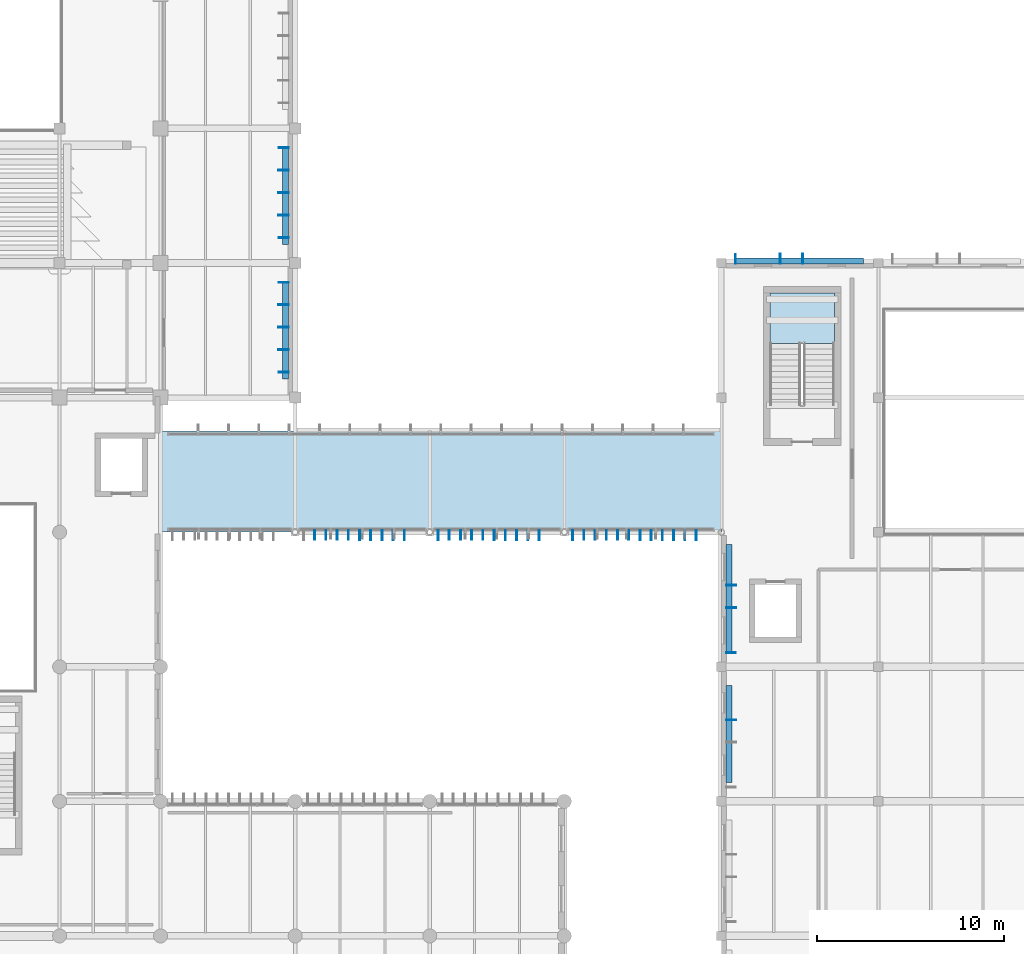
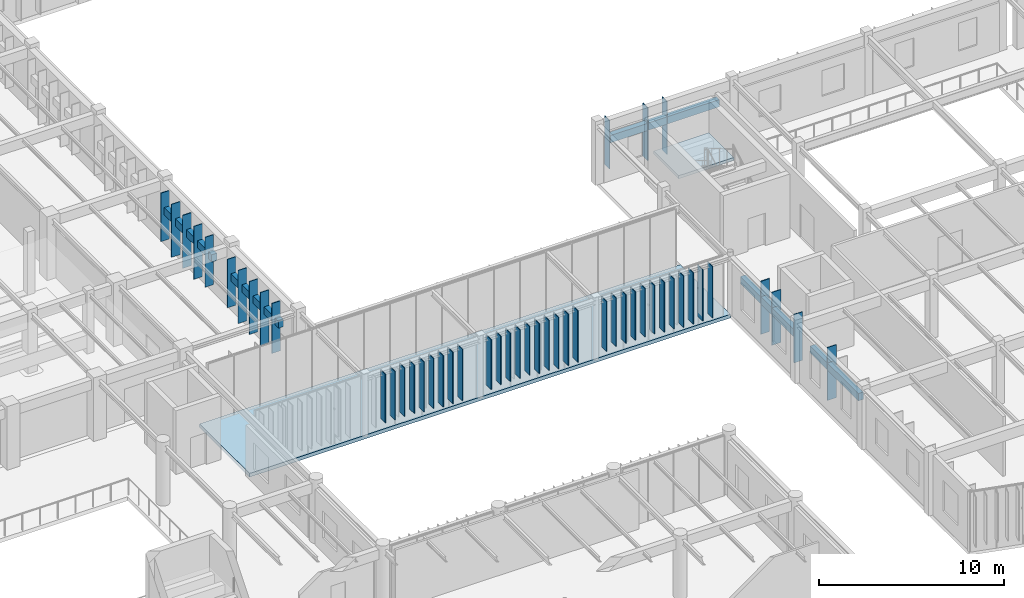
# One storey, part 23 of 122: 53 plates, 2 slabs, 1 element without a shape of its own.
"""IFC4 building model written with IfcOpenShell, lengths in metres."""

from ifc_helpers import new_model, si_unit, direction, frame, origin, origin_2d, place, context, subcontext, project, spatial, polyline, rectangle, outline, extrude, material, layer, layer_set, type_object, element, aggregate, save


model = new_model("IFC4")

# Units and contexts
model_context = context("Model", 3, precision=1e-05, world=origin(), true_north=direction((0.0, 1.0)))
body_context = subcontext(model_context, "Body", "Model", "MODEL_VIEW")
ifc_project = project(units=[si_unit("LENGTHUNIT", "METRE"), si_unit("AREAUNIT", "SQUARE_METRE"), si_unit("VOLUMEUNIT", "CUBIC_METRE"), si_unit("PLANEANGLEUNIT", "RADIAN"), si_unit("MASSUNIT", "GRAM", prefix="KILO")], contexts=[model_context])

# Site, building, storey
site_placement = place(None, origin())
site = spatial("IfcSite", under=ifc_project, at=site_placement, CompositionType="ELEMENT")
building_placement = place(site_placement, origin())
building = spatial("IfcBuilding", under=site, at=building_placement, Name="Tazoul Stagehouse", CompositionType="ELEMENT")
storey_placement = place(building_placement, frame((0.0, 0.0, 4.800048828125)))
storey = spatial("IfcBuildingStorey", under=building, at=storey_placement, Name="L01", CompositionType="ELEMENT", Elevation=4.800048828125)

# Stair, slab
ifc_material_1 = material(Name="Concrete C40/50", Category="concrete")
stair_type = type_object("IfcStairType", Name="Protected Core Dogleg Stair 4800", PredefinedType="HALF_TURN_STAIR", material=ifc_material_1)
stair_placement = place(storey_placement, origin())
stair = element("IfcStair", 1, at=stair_placement, inside=storey, type_object=stair_type, Name="L01 Core Escape Stair ST-07", PredefinedType="HALF_TURN_STAIR")
ifc_layer_1 = layer(ifc_material_1, 0.179931640625, Name="Concrete C40/50")
ifc_layer_set_1 = layer_set([ifc_layer_1], Name="Concrete C40/50")
slab_type_1 = type_object("IfcSlabType", Name="Core Half-Landing Slab 180", PredefinedType="LANDING", material=ifc_layer_set_1)
slab_1_placement = place(storey_placement, frame((0.0, 0.0, 1.89990234375)))
slab_1 = element("IfcSlab", 2, at=slab_1_placement, type_object=slab_type_1, Name="ST-07 landing 1", PredefinedType="LANDING", context=body_context, shape_type="SweptSolid", body=[
    extrude(outline(polyline([(131.449951171875, 54.699951171875), (131.449951171875, 57.39990234375), (128.0, 57.39990234375), (128.0, 54.699951171875), (131.449951171875, 54.699951171875)])), origin(), (0.0, 0.0, 1.0), 0.199951171875),
])
aggregate(stair, [slab_1])

# Slab
ifc_material_2 = material(Name="Concrete C35/45", Category="concrete")
ifc_layer_2 = layer(ifc_material_2, 0.239990234375, Name="Concrete C35/45")
ifc_layer_set_2 = layer_set([ifc_layer_2], Name="Concrete C35/45")
slab_type_2 = type_object("IfcSlabType", Name="Court Bridge Slab 240", PredefinedType="FLOOR", material=ifc_layer_set_2)
slab_2_placement = place(storey_placement, frame((0.0, 0.0, -0.239990234375)))
element("IfcSlab", 3, at=slab_2_placement, inside=storey, type_object=slab_type_2, Name="L01 Court Bridge Slab 240 (V4)", PredefinedType="FLOOR", context=body_context, shape_type="SweptSolid", body=[
    extrude(outline(polyline([(95.39990234375, 44.60009765625), (95.39990234375, 50.0), (125.39990234375, 50.0), (125.39990234375, 44.60009765625), (95.39990234375, 44.60009765625)])), origin(), (0.0, 0.0, 1.0), 0.239990234375),
])

# Plates
ifc_material_3 = material(Name="Anodised Bronze Aluminium 6063-T6", Category="aluminium")
ifc_layer_3 = layer(ifc_material_3, 0.52001953125, Name="Anodised Bronze Aluminium 6063-T6")
ifc_layer_set_3 = layer_set([ifc_layer_3], Name="Anodised Bronze Aluminium 6063-T6")
plate_type_1 = type_object("IfcPlateType", Name="Parametric Terracotta-Bronze Solar Fin 520x3200", PredefinedType="USERDEFINED", material=ifc_layer_set_3)
for number, where, z_axis, x_axis, name in (
    (4, (126.155029296875, 59.2099609375, 0.6201171875), (0.0, 0.0, 1.0), (1.0, 0.0, 0.0), "L01 Parametric Solar Fin SFN-18 (WALL-V4-N-L01-S1-01)"),
    (5, (125.909912109375, 38.155029296875, 0.6201171875), (0.0, 0.0, 1.0), (0.0, 1.0, 0.0), "L01 Parametric Solar Fin SFN-18 (WALL-V4-W-L01-S4-01)"),
    (6, (103.65185546875, 44.449951171875, 0.68994140625), (0.0, 0.0, 1.0), (1.0, 0.0, 0.0), "L01 Parametric Solar Fin SFN-18 (CW-ELNK-S-L01-B2-02)"),
    (7, (104.251953125, 44.449951171875, 0.68994140625), (0.0, 0.0, 1.0), (1.0, 0.0, 0.0), "L01 Parametric Solar Fin SFN-18 (CW-ELNK-S-L01-B2-03)"),
    (8, (104.851806640625, 44.449951171875, 0.68994140625), (0.0, 0.0, 1.0), (1.0, 0.0, 0.0), "L01 Parametric Solar Fin SFN-18 (CW-ELNK-S-L01-B2-04)"),
    (9, (105.451904296875, 44.449951171875, 0.68994140625), (0.0, 0.0, 1.0), (1.0, 0.0, 0.0), "L01 Parametric Solar Fin SFN-18 (CW-ELNK-S-L01-B2-05)"),
    (10, (110.851806640625, 44.449951171875, 0.68994140625), (0.0, 0.0, 1.0), (1.0, 0.0, 0.0), "L01 Parametric Solar Fin SFN-18 (CW-ELNK-S-L01-B3-02)"),
    (11, (111.451904296875, 44.449951171875, 0.68994140625), (0.0, 0.0, 1.0), (1.0, 0.0, 0.0), "L01 Parametric Solar Fin SFN-18 (CW-ELNK-S-L01-B3-03)"),
    (12, (112.052001953125, 44.449951171875, 0.68994140625), (0.0, 0.0, 1.0), (1.0, 0.0, 0.0), "L01 Parametric Solar Fin SFN-18 (CW-ELNK-S-L01-B3-04)"),
    (13, (112.65185546875, 44.449951171875, 0.68994140625), (0.0, 0.0, 1.0), (1.0, 0.0, 0.0), "L01 Parametric Solar Fin SFN-18 (CW-ELNK-S-L01-B3-05)"),
    (14, (118.052001953125, 44.449951171875, 0.68994140625), (0.0, 0.0, 1.0), (1.0, 0.0, 0.0), "L01 Parametric Solar Fin SFN-18 (CW-ELNK-S-L01-B4-02)"),
    (15, (118.652099609375, 44.449951171875, 0.68994140625), (0.0, 0.0, 1.0), (1.0, 0.0, 0.0), "L01 Parametric Solar Fin SFN-18 (CW-ELNK-S-L01-B4-03)"),
    (16, (119.251953125, 44.449951171875, 0.68994140625), (0.0, 0.0, 1.0), (1.0, 0.0, 0.0), "L01 Parametric Solar Fin SFN-18 (CW-ELNK-S-L01-B4-04)"),
    (17, (119.85205078125, 44.449951171875, 0.68994140625), (0.0, 0.0, 1.0), (1.0, 0.0, 0.0), "L01 Parametric Solar Fin SFN-18 (CW-ELNK-S-L01-B4-05)"),
    (18, (120.451904296875, 44.449951171875, 0.68994140625), (0.0, 0.0, 1.0), (1.0, 0.0, 0.0), "L01 Parametric Solar Fin SFN-18 (CW-ELNK-S-L01-B4-06)"),
    (19, (101.989990234375, 65.159912109375, 0.6201171875), (0.0, 0.0, 1.0), (0.0, -1.0, 0.0), "L01 Parametric Solar Fin SFN-18 (WALL-V1-E-L01-S1-B4-01)"),
    (20, (101.989990234375, 57.9599609375, 0.6201171875), (0.0, 0.0, 1.0), (0.0, -1.0, 0.0), "L01 Parametric Solar Fin SFN-18 (WALL-V1-E-L01-S1-B5-01)"),
):
    element("IfcPlate", number, at=place(storey_placement, frame(where, z_axis=z_axis, x_axis=x_axis)), inside=storey, type_object=plate_type_1, Name=name, ObjectType="SOLAR FIN", PredefinedType="USERDEFINED", context=body_context, shape_type="SweptSolid", body=[
        extrude(rectangle(XDim=0.044921875, YDim=0.52001953125, at=origin_2d()), origin(), (0.0, 0.0, 1.0), 3.199951171875),
    ])
ifc_layer_4 = layer(ifc_material_3, 0.530029296875, Name="Anodised Bronze Aluminium 6063-T6")
ifc_layer_set_4 = layer_set([ifc_layer_4], Name="Anodised Bronze Aluminium 6063-T6")
plate_type_2 = type_object("IfcPlateType", Name="Parametric Terracotta-Bronze Solar Fin 530x3300", PredefinedType="USERDEFINED", material=ifc_layer_set_4)
for number, where, z_axis, x_axis, name in (
    (21, (106.052001953125, 44.445068359375, 0.58984375), (0.0, 0.0, 1.0), (1.0, 0.0, 0.0), "L01 Parametric Solar Fin SFN-19 (CW-ELNK-S-L01-B2-06)"),
    (22, (106.65185546875, 44.445068359375, 0.58984375), (0.0, 0.0, 1.0), (1.0, 0.0, 0.0), "L01 Parametric Solar Fin SFN-19 (CW-ELNK-S-L01-B2-07)"),
    (23, (110.251953125, 44.445068359375, 0.58984375), (0.0, 0.0, 1.0), (1.0, 0.0, 0.0), "L01 Parametric Solar Fin SFN-19 (CW-ELNK-S-L01-B3-01)"),
    (24, (113.251953125, 44.445068359375, 0.58984375), (0.0, 0.0, 1.0), (1.0, 0.0, 0.0), "L01 Parametric Solar Fin SFN-19 (CW-ELNK-S-L01-B3-06)"),
    (25, (113.851806640625, 44.445068359375, 0.58984375), (0.0, 0.0, 1.0), (1.0, 0.0, 0.0), "L01 Parametric Solar Fin SFN-19 (CW-ELNK-S-L01-B3-07)"),
    (26, (117.451904296875, 44.445068359375, 0.58984375), (0.0, 0.0, 1.0), (1.0, 0.0, 0.0), "L01 Parametric Solar Fin SFN-19 (CW-ELNK-S-L01-B4-01)"),
    (27, (121.052001953125, 44.445068359375, 0.58984375), (0.0, 0.0, 1.0), (1.0, 0.0, 0.0), "L01 Parametric Solar Fin SFN-19 (CW-ELNK-S-L01-B4-07)"),
    (28, (121.652099609375, 44.445068359375, 0.58984375), (0.0, 0.0, 1.0), (1.0, 0.0, 0.0), "L01 Parametric Solar Fin SFN-19 (CW-ELNK-S-L01-B4-08)"),
    (29, (101.985107421875, 60.360107421875, 0.52001953125), (0.0, 0.0, 1.0), (0.0, -1.0, 0.0), "L01 Parametric Solar Fin SFN-19 (WALL-V1-E-L01-S1-B4-05)"),
    (30, (101.985107421875, 53.159912109375, 0.52001953125), (0.0, 0.0, 1.0), (0.0, -1.0, 0.0), "L01 Parametric Solar Fin SFN-19 (WALL-V1-E-L01-S1-B5-05)"),
):
    element("IfcPlate", number, at=place(storey_placement, frame(where, z_axis=z_axis, x_axis=x_axis)), inside=storey, type_object=plate_type_2, Name=name, ObjectType="SOLAR FIN", PredefinedType="USERDEFINED", context=body_context, shape_type="SweptSolid", body=[
        extrude(rectangle(XDim=0.044921875, YDim=0.530029296875, at=origin_2d()), origin(), (0.0, 0.0, 1.0), 3.300048828125),
    ])
ifc_layer_5 = layer(ifc_material_3, 0.5400390625, Name="Anodised Bronze Aluminium 6063-T6")
ifc_layer_set_5 = layer_set([ifc_layer_5], Name="Anodised Bronze Aluminium 6063-T6")
plate_type_3 = type_object("IfcPlateType", Name="Parametric Terracotta-Bronze Solar Fin 540x3400", PredefinedType="USERDEFINED", material=ifc_layer_set_5)
for number, where, z_axis, x_axis, name in (
    (31, (107.251953125, 44.43994140625, 0.489990234375), (0.0, 0.0, 1.0), (1.0, 0.0, 0.0), "L01 Parametric Solar Fin SFN-20 (CW-ELNK-S-L01-B2-08)"),
    (32, (107.851806640625, 44.43994140625, 0.489990234375), (0.0, 0.0, 1.0), (1.0, 0.0, 0.0), "L01 Parametric Solar Fin SFN-20 (CW-ELNK-S-L01-B2-09)"),
    (33, (108.451904296875, 44.43994140625, 0.489990234375), (0.0, 0.0, 1.0), (1.0, 0.0, 0.0), "L01 Parametric Solar Fin SFN-20 (CW-ELNK-S-L01-B2-10)"),
    (34, (114.451904296875, 44.43994140625, 0.489990234375), (0.0, 0.0, 1.0), (1.0, 0.0, 0.0), "L01 Parametric Solar Fin SFN-20 (CW-ELNK-S-L01-B3-08)"),
    (35, (115.052001953125, 44.43994140625, 0.489990234375), (0.0, 0.0, 1.0), (1.0, 0.0, 0.0), "L01 Parametric Solar Fin SFN-20 (CW-ELNK-S-L01-B3-09)"),
    (36, (115.65185546875, 44.43994140625, 0.489990234375), (0.0, 0.0, 1.0), (1.0, 0.0, 0.0), "L01 Parametric Solar Fin SFN-20 (CW-ELNK-S-L01-B3-10)"),
    (37, (122.251953125, 44.43994140625, 0.489990234375), (0.0, 0.0, 1.0), (1.0, 0.0, 0.0), "L01 Parametric Solar Fin SFN-20 (CW-ELNK-S-L01-B4-09)"),
    (38, (122.85205078125, 44.43994140625, 0.489990234375), (0.0, 0.0, 1.0), (1.0, 0.0, 0.0), "L01 Parametric Solar Fin SFN-20 (CW-ELNK-S-L01-B4-10)"),
    (39, (123.451904296875, 44.43994140625, 0.489990234375), (0.0, 0.0, 1.0), (1.0, 0.0, 0.0), "L01 Parametric Solar Fin SFN-20 (CW-ELNK-S-L01-B4-11)"),
    (40, (124.052001953125, 44.43994140625, 0.489990234375), (0.0, 0.0, 1.0), (1.0, 0.0, 0.0), "L01 Parametric Solar Fin SFN-20 (CW-ELNK-S-L01-B4-12)"),
):
    element("IfcPlate", number, at=place(storey_placement, frame(where, z_axis=z_axis, x_axis=x_axis)), inside=storey, type_object=plate_type_3, Name=name, ObjectType="SOLAR FIN", PredefinedType="USERDEFINED", context=body_context, shape_type="SweptSolid", body=[
        extrude(rectangle(XDim=0.044921875, YDim=0.5400390625, at=origin_2d()), origin(), (0.0, 0.0, 1.0), 3.39990234375),
    ])
ifc_layer_6 = layer(ifc_material_3, 0.550048828125, Name="Anodised Bronze Aluminium 6063-T6")
ifc_layer_set_6 = layer_set([ifc_layer_6], Name="Anodised Bronze Aluminium 6063-T6")
plate_type_4 = type_object("IfcPlateType", Name="Parametric Terracotta-Bronze Solar Fin 550x3500", PredefinedType="USERDEFINED", material=ifc_layer_set_6)
for number, where, z_axis, x_axis, name in (
    (41, (128.554931640625, 59.22509765625, 0.320068359375), (0.0, 0.0, 1.0), (1.0, 0.0, 0.0), "L01 Parametric Solar Fin SFN-21 (WALL-V4-N-L01-S1-03)"),
    (42, (129.7548828125, 59.22509765625, 0.320068359375), (0.0, 0.0, 1.0), (1.0, 0.0, 0.0), "L01 Parametric Solar Fin SFN-21 (WALL-V4-N-L01-S1-04)"),
    (43, (125.925048828125, 34.554931640625, 0.320068359375), (0.0, 0.0, 1.0), (0.0, 1.0, 0.0), "L01 Parametric Solar Fin SFN-21 (WALL-V4-W-L01-S3-04)"),
    (44, (125.925048828125, 40.554931640625, 0.320068359375), (0.0, 0.0, 1.0), (0.0, 1.0, 0.0), "L01 Parametric Solar Fin SFN-21 (WALL-V4-W-L01-S4-03)"),
    (45, (125.925048828125, 41.7548828125, 0.320068359375), (0.0, 0.0, 1.0), (0.0, 1.0, 0.0), "L01 Parametric Solar Fin SFN-21 (WALL-V4-W-L01-S4-04)"),
    (46, (101.97509765625, 63.9599609375, 0.320068359375), (0.0, 0.0, 1.0), (0.0, -1.0, 0.0), "L01 Parametric Solar Fin SFN-21 (WALL-V1-E-L01-S1-B4-02)"),
    (47, (101.97509765625, 62.760009765625, 0.320068359375), (0.0, 0.0, 1.0), (0.0, -1.0, 0.0), "L01 Parametric Solar Fin SFN-21 (WALL-V1-E-L01-S1-B4-03)"),
    (48, (101.97509765625, 61.56005859375, 0.320068359375), (0.0, 0.0, 1.0), (0.0, -1.0, 0.0), "L01 Parametric Solar Fin SFN-21 (WALL-V1-E-L01-S1-B4-04)"),
    (49, (101.97509765625, 56.760009765625, 0.320068359375), (0.0, 0.0, 1.0), (0.0, -1.0, 0.0), "L01 Parametric Solar Fin SFN-21 (WALL-V1-E-L01-S1-B5-02)"),
    (50, (101.97509765625, 55.56005859375, 0.320068359375), (0.0, 0.0, 1.0), (0.0, -1.0, 0.0), "L01 Parametric Solar Fin SFN-21 (WALL-V1-E-L01-S1-B5-03)"),
    (51, (101.97509765625, 54.360107421875, 0.320068359375), (0.0, 0.0, 1.0), (0.0, -1.0, 0.0), "L01 Parametric Solar Fin SFN-21 (WALL-V1-E-L01-S1-B5-04)"),
):
    element("IfcPlate", number, at=place(storey_placement, frame(where, z_axis=z_axis, x_axis=x_axis)), inside=storey, type_object=plate_type_4, Name=name, ObjectType="SOLAR FIN", PredefinedType="USERDEFINED", context=body_context, shape_type="SweptSolid", body=[
        extrude(rectangle(XDim=0.044921875, YDim=0.550048828125, at=origin_2d()), origin(), (0.0, 0.0, 1.0), 3.5),
    ])
ifc_layer_7 = layer(ifc_material_3, 0.320068359375, Name="Anodised Bronze Aluminium 6063-T6")
ifc_layer_set_7 = layer_set([ifc_layer_7], Name="Anodised Bronze Aluminium 6063-T6")
plate_type_5 = type_object("IfcPlateType", Name="Sculpted Facade Spandrel Ribbon 5200x480", PredefinedType="USERDEFINED", material=ifc_layer_set_7)
for number, where, z_axis, x_axis, name in (
    (52, (125.81005859375, 33.800048828125, 2.321044921875), (0.0, 0.0, 1.0), (0.0, 1.0, 0.0), "L01 Sculpted Facade Spandrel Ribbon FRB-07 (WALL-V4-W-L01-S3)"),
    (53, (102.090087890625, 62.60009765625, 2.321044921875), (0.0, 0.0, 1.0), (0.0, -1.0, 0.0), "L01 Sculpted Facade Spandrel Ribbon FRB-07 (WALL-V1-E-L01-S1-B4)"),
    (54, (102.090087890625, 55.39990234375, 2.321044921875), (0.0, 0.0, 1.0), (0.0, -1.0, 0.0), "L01 Sculpted Facade Spandrel Ribbon FRB-07 (WALL-V1-E-L01-S1-B5)"),
):
    element("IfcPlate", number, at=place(storey_placement, frame(where, z_axis=z_axis, x_axis=x_axis)), inside=storey, type_object=plate_type_5, Name=name, ObjectType="FACADE RIBBON", PredefinedType="USERDEFINED", context=body_context, shape_type="SweptSolid", body=[
        extrude(rectangle(XDim=5.199951171875, YDim=0.320068359375, at=origin_2d()), origin(), (0.0, 0.0, 1.0), 0.47998046875),
    ])
ifc_layer_8 = layer(ifc_material_3, 0.320068359375, Name="Anodised Bronze Aluminium 6063-T6")
ifc_layer_set_8 = layer_set([ifc_layer_8], Name="Anodised Bronze Aluminium 6063-T6")
plate_type_6 = type_object("IfcPlateType", Name="Sculpted Facade Spandrel Ribbon 5800x480", PredefinedType="USERDEFINED", material=ifc_layer_set_8)
plate_1_placement = place(storey_placement, frame((125.81005859375, 41.0439453125, 2.321044921875), z_axis=(0.0, 0.0, 1.0), x_axis=(0.0, 1.0, 0.0)))
element("IfcPlate", 55, at=plate_1_placement, inside=storey, type_object=plate_type_6, Name="L01 Sculpted Facade Spandrel Ribbon FRB-08 (WALL-V4-W-L01-S4)", ObjectType="FACADE RIBBON", PredefinedType="USERDEFINED", context=body_context, shape_type="SweptSolid", body=[
    extrude(rectangle(XDim=5.800048828125, YDim=0.320068359375, at=origin_2d()), origin(), (0.0, 0.0, 1.0), 0.47998046875),
])
ifc_layer_9 = layer(ifc_material_3, 0.320068359375, Name="Anodised Bronze Aluminium 6063-T6")
ifc_layer_set_9 = layer_set([ifc_layer_9], Name="Anodised Bronze Aluminium 6063-T6")
plate_type_7 = type_object("IfcPlateType", Name="Sculpted Facade Spandrel Ribbon 6800x480", PredefinedType="USERDEFINED", material=ifc_layer_set_9)
plate_2_placement = place(storey_placement, frame((129.60009765625, 59.110107421875, 2.321044921875), z_axis=(0.0, 0.0, 1.0), x_axis=(1.0, 0.0, 0.0)))
element("IfcPlate", 56, at=plate_2_placement, inside=storey, type_object=plate_type_7, Name="L01 Sculpted Facade Spandrel Ribbon FRB-10 (WALL-V4-N-L01-S1)", ObjectType="FACADE RIBBON", PredefinedType="USERDEFINED", context=body_context, shape_type="SweptSolid", body=[
    extrude(rectangle(XDim=6.800048828125, YDim=0.320068359375, at=origin_2d()), origin(), (0.0, 0.0, 1.0), 0.47998046875),
])

save(model, "model.ifc")
